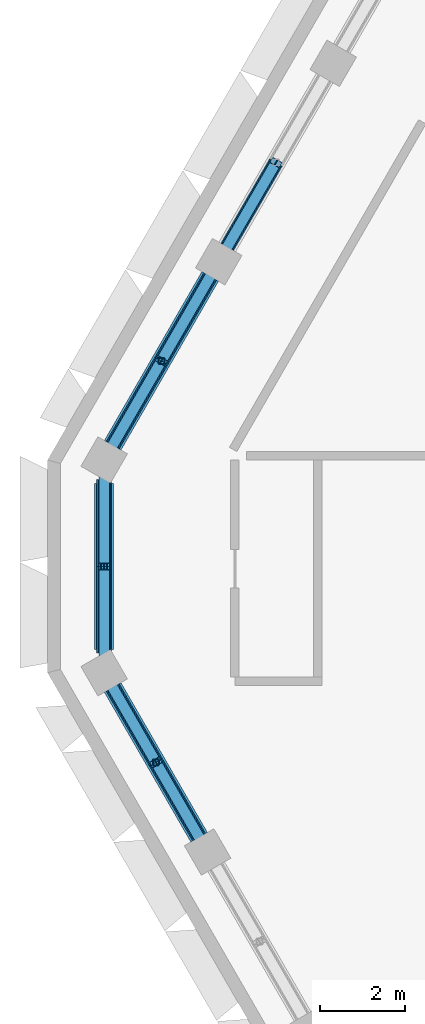
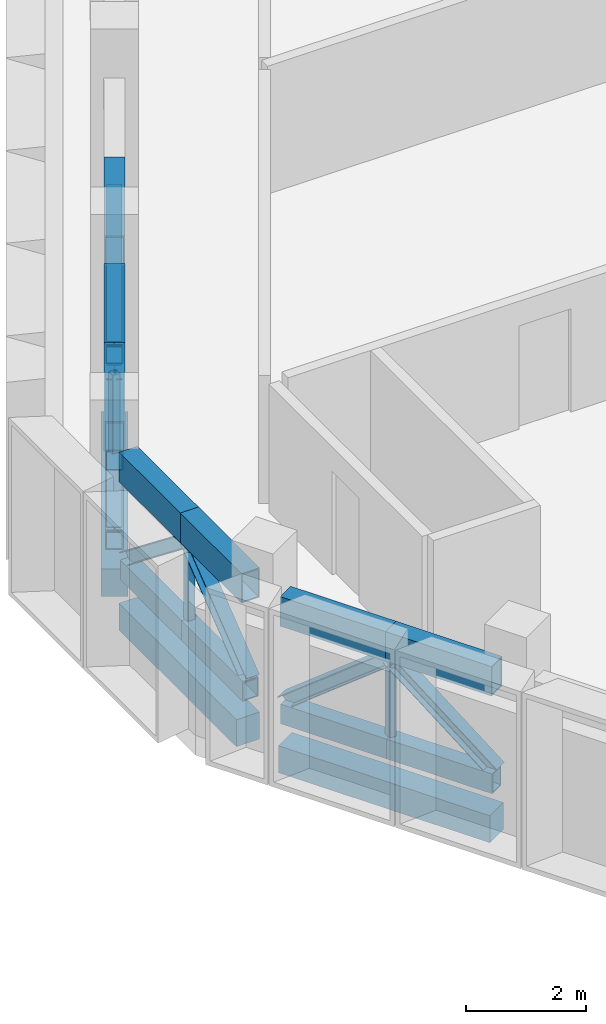
# One storey, part 4 of 24: 24 members, 3 beams.
"""IFC4 building model written with IfcOpenShell, lengths in metres."""

import ifcopenshell
import ifcopenshell.guid

model = None  # the IFC model being written
_history = None  # IfcOwnerHistory: only IFC2X3 demands one
_inside = {}  # id of a spatial element -> (the spatial element, [elements in it])
_under = {}  # id of a project, library or spatial element -> (it, [spatial elements below it])
_declared = {}  # id of a project -> (the project, [libraries it declares])
_typed = {}  # id of a type object -> (the type object, [elements of that type])
_made_of = {}  # id of a material, layer set ... -> (it, [elements and type objects made of it])


def new_model(schema):
    """Start an empty IFC model of exactly this schema.

    Asked for "IFC4X3", IfcOpenShell would pick the latest addendum, in which some entities
    have other attributes; the version numbers below select the first issue.
    IFC2X3 requires an IfcOwnerHistory on every rooted entity: one is made here for all.
    """
    global model, _history
    if schema == "IFC4X3":
        model = ifcopenshell.file(schema_version=(4, 3, 0, 0))
    else:
        model = ifcopenshell.file(schema=schema)
    _inside.clear()
    _under.clear()
    _declared.clear()
    _typed.clear()
    _made_of.clear()
    _history = None
    if model.schema == "IFC2X3":
        org = make("IfcOrganization", Name="unknown")
        user = make(
            "IfcPersonAndOrganization",
            ThePerson=make("IfcPerson", FamilyName="unknown"),
            TheOrganization=org,
        )
        app = make(
            "IfcApplication",
            ApplicationDeveloper=org,
            Version="unknown",
            ApplicationFullName="unknown",
            ApplicationIdentifier="unknown",
        )
        _history = make(
            "IfcOwnerHistory",
            OwningUser=user,
            OwningApplication=app,
            ChangeAction="ADDED",
            CreationDate=0,
        )
    return model


def make(cls, **values):
    """One entity of the class cls with the attributes given. An attribute that is None is left unset."""
    return model.create_entity(
        cls, **{name: value for name, value in values.items() if value is not None}
    )


def rooted(cls, **values):
    """An entity with a GlobalId (a new one), such as an element, a storey or a relation."""
    return make(cls, GlobalId=ifcopenshell.guid.new(), OwnerHistory=_history, **values)


def si_unit(unit_type, name, prefix=None):
    """IfcSIUnit, for example si_unit("LENGTHUNIT", "METRE", prefix="MILLI")."""
    return make("IfcSIUnit", UnitType=unit_type, Prefix=prefix, Name=name)


def assignment(units):
    """IfcUnitAssignment: the units of a project."""
    return None if units is None else make("IfcUnitAssignment", Units=units)


def point(xyz):
    """IfcCartesianPoint."""
    return None if xyz is None else make("IfcCartesianPoint", Coordinates=xyz)


def direction(xyz):
    """IfcDirection."""
    return None if xyz is None else make("IfcDirection", DirectionRatios=xyz)


def frame(location, z_axis=None, x_axis=None):
    """IfcAxis2Placement3D, a coordinate frame: its origin and axes. An axis left out is left unset."""
    return make(
        "IfcAxis2Placement3D",
        Location=point(location),
        Axis=direction(z_axis),
        RefDirection=direction(x_axis),
    )


def frame_2d(location, x_axis=None):
    """IfcAxis2Placement2D, a coordinate frame in the plane: its origin and x axis."""
    return make(
        "IfcAxis2Placement2D", Location=point(location), RefDirection=direction(x_axis)
    )


def origin():
    """The frame at (0, 0, 0) with its axes left unset."""
    return frame((0.0, 0.0, 0.0))


def origin_2d():
    """The frame at (0, 0) in the plane with its x axis left unset."""
    return frame_2d((0.0, 0.0))


def place(relative_to, where):
    """IfcLocalPlacement: puts the frame where relative to a parent placement (None: the world)."""
    return make(
        "IfcLocalPlacement", PlacementRelTo=relative_to, RelativePlacement=where
    )


def context(
    kind, dimensions, precision=None, world=None, true_north=None, identifier=None
):
    """IfcGeometricRepresentationContext, for example the 3D "Model" context."""
    return make(
        "IfcGeometricRepresentationContext",
        ContextIdentifier=identifier,
        ContextType=kind,
        CoordinateSpaceDimension=dimensions,
        Precision=precision,
        WorldCoordinateSystem=world,
        TrueNorth=true_north,
    )


def subcontext(parent, identifier, kind, view, scale=None):
    """IfcGeometricRepresentationSubContext, for example "Body" below "Model"."""
    return make(
        "IfcGeometricRepresentationSubContext",
        ContextIdentifier=identifier,
        ContextType=kind,
        ParentContext=parent,
        TargetScale=scale,
        TargetView=view,
    )


def project(units=None, contexts=None):
    """IfcProject with its units and contexts."""
    return rooted(
        "IfcProject",
        Name="project",
        RepresentationContexts=contexts,
        UnitsInContext=assignment(units),
    )


def spatial(cls, under=None, at=None, **own):
    """A site, building, storey or space (cls), placed at a placement, below another one or the project."""
    s = rooted(cls, ObjectPlacement=at, **own)
    if under is not None:
        _under.setdefault(under.id(), (under, []))[1].append(s)
    return s


def profile(cls, at=None, kind="AREA", **sizes):
    """A parametric profile (cls). Its sizes go by their IFC names, for example OverallWidth=200.0."""
    return make(cls, ProfileType=kind, Position=at, **sizes)


def rectangle(**sizes):
    """IfcRectangleProfileDef."""
    return profile("IfcRectangleProfileDef", **sizes)


def hollow_rectangle(**sizes):
    """IfcRectangleHollowProfileDef."""
    return profile("IfcRectangleHollowProfileDef", **sizes)


def i_section(**sizes):
    """IfcIShapeProfileDef."""
    return profile("IfcIShapeProfileDef", **sizes)


def extrude(swept, where, along, depth):
    """IfcExtrudedAreaSolid: the profile swept, set in the frame where, extruded along a direction by depth."""
    return make(
        "IfcExtrudedAreaSolid",
        SweptArea=swept,
        Position=where,
        ExtrudedDirection=direction(along),
        Depth=depth,
    )


def shape(context_of_items, identifier, shape_type, items):
    """IfcShapeRepresentation: the items that make up one representation, for example the "Body"."""
    return make(
        "IfcShapeRepresentation",
        ContextOfItems=context_of_items,
        RepresentationIdentifier=identifier,
        RepresentationType=shape_type,
        Items=items,
    )


def material(Name=None, Category=None):
    """IfcMaterial."""
    return make("IfcMaterial", Name=Name, Category=Category)


def material_profile(
    of_material, cross_section, Name=None, Category=None, Priority=None
):
    """IfcMaterialProfile: a cross section and its material."""
    return make(
        "IfcMaterialProfile",
        Name=Name,
        Material=of_material,
        Profile=cross_section,
        Priority=Priority,
        Category=Category,
    )


def profile_set(profiles, Name=None, composite=None):
    """IfcMaterialProfileSet."""
    return make(
        "IfcMaterialProfileSet",
        Name=Name,
        MaterialProfiles=profiles,
        CompositeProfile=composite,
    )


def made_of(thing, what):
    """Note that an element or type object is made of a material, layer set ...; save() writes the relation."""
    if what is not None:
        _made_of.setdefault(what.id(), (what, []))[1].append(thing)
    return thing


def type_object(cls, material=None, **own):
    """A type object (cls), such as IfcWallType, which elements share."""
    return made_of(rooted(cls, **own), material)


def element(
    cls,
    number,
    at=None,
    inside=None,
    cuts=None,
    type_object=None,
    material=None,
    context=None,
    identifier="Body",
    shape_type=None,
    held_by="IfcProductDefinitionShape",
    body=None,
    shapes=None,
    **own,
):
    """One element of the class cls, such as IfcWall. Its Tag is "e" and its number.

    at: its placement. inside: the storey or other place that contains it. cuts: it is an
    opening in that element (IfcRelVoidsElement). A single representation is given by context,
    identifier, shape_type and body (its items); several are given by shapes. held_by: the class
    of the entity that holds the representations. save() writes the other relations.
    """
    e = rooted(cls, Tag="e%d" % number, ObjectPlacement=at, **own)
    if body is not None:
        shapes = [shape(context, identifier, shape_type, body)]
    if shapes is not None:
        e.Representation = make(held_by, Representations=shapes)
    if inside is not None:
        _inside.setdefault(inside.id(), (inside, []))[1].append(e)
    if cuts is not None:
        rooted(
            "IfcRelVoidsElement", RelatingBuildingElement=cuts, RelatedOpeningElement=e
        )
    if type_object is not None:
        _typed.setdefault(type_object.id(), (type_object, []))[1].append(e)
    return made_of(e, material)


def aggregate(whole, parts):
    """IfcRelAggregates: a whole, such as a stair, and the parts it consists of."""
    return rooted("IfcRelAggregates", RelatingObject=whole, RelatedObjects=parts)


def save(model, path):
    """Write the relations noted so far, then the file.

    IfcRelAggregates (storeys below a building ...), IfcRelContainedInSpatialStructure (elements
    in a storey), IfcRelDefinesByType, IfcRelAssociatesMaterial and IfcRelDeclares: one each for
    every whole, place, type object, material and project.
    """
    for whole, parts in _under.values():
        aggregate(whole, parts)
    for where, things in _inside.values():
        rooted(
            "IfcRelContainedInSpatialStructure",
            RelatedElements=things,
            RelatingStructure=where,
        )
    for kind, things in _typed.values():
        rooted("IfcRelDefinesByType", RelatedObjects=things, RelatingType=kind)
    for what, things in _made_of.values():
        rooted("IfcRelAssociatesMaterial", RelatedObjects=things, RelatingMaterial=what)
    for by, libraries in _declared.values():
        rooted("IfcRelDeclares", RelatingContext=by, RelatedDefinitions=libraries)
    model.write(path)


model = new_model("IFC4")

# Units and contexts
model_context = context("Model", 3, precision=1e-05, world=origin(), true_north=direction((0.0, 1.0)))
body_context = subcontext(model_context, "Body", "Model", "MODEL_VIEW")
ifc_project = project(units=[si_unit("LENGTHUNIT", "METRE"), si_unit("AREAUNIT", "SQUARE_METRE"), si_unit("VOLUMEUNIT", "CUBIC_METRE"), si_unit("PLANEANGLEUNIT", "RADIAN"), si_unit("MASSUNIT", "GRAM", prefix="KILO")], contexts=[model_context])

# Site, building, storey
site_placement = place(None, origin())
site = spatial("IfcSite", under=ifc_project, at=site_placement, CompositionType="ELEMENT")
building_placement = place(site_placement, origin())
building = spatial("IfcBuilding", under=site, at=building_placement, Name="Beryl Residences", CompositionType="ELEMENT")
storey_placement = place(building_placement, frame((0.0, 0.0, 199.199951171875)))
storey = spatial("IfcBuildingStorey", under=building, at=storey_placement, Name="L61", CompositionType="ELEMENT", Elevation=199.199951171875)

# Members
ifc_material_1 = material(Name="Steel S355", Category="steel")
ifc_material_profile_1 = material_profile(ifc_material_1, hollow_rectangle(XDim=0.300048828125, YDim=0.39990234375, WallThickness=0.02001953125, at=origin_2d()))
ifc_profile_set_1 = profile_set([ifc_material_profile_1], Name="Steel S355")
member_type_1 = type_object("IfcMemberType", Name="BB4 belt truss bottom chord WB 400x300x20", PredefinedType="CHORD", material=ifc_profile_set_1)
for number, where, z_axis, x_axis, name in (
    (1, (-20.7880859375, 8.89306640625, 0.199951171875), (-0.499965247104, -0.866045467449, 0.0), (0.866045467449, -0.499965247104, 0.0), "Belt truss BB4-NW-2b L61"),
    (2, (-22.333984375, 6.216064453125, 0.199951171875), (-0.499965247104, -0.866045467449, 0.0), (0.866045467449, -0.499965247104, 0.0), "Belt truss BB4-NW-3a L61"),
):
    element("IfcMember", number, at=place(storey_placement, frame(where, z_axis=z_axis, x_axis=x_axis)), inside=storey, type_object=member_type_1, Name=name, PredefinedType="CHORD", context=body_context, shape_type="SweptSolid", body=[
        extrude(hollow_rectangle(XDim=0.300048828125, YDim=0.39990234375, WallThickness=0.02001953125, at=origin_2d()), origin(), (0.0, 0.0, 1.0), 2.292236328125),
    ])
member_1_placement = place(storey_placement, frame((-23.47998046875, 4.23095703125, 0.199951171875), z_axis=(-0.500011369369, -0.866018839577, 0.0), x_axis=(0.866018839577, -0.500011369369, 0.0)))
element("IfcMember", 3, at=member_1_placement, inside=storey, type_object=member_type_1, Name="Belt truss BB4-NW-3b L61", PredefinedType="CHORD", context=body_context, shape_type="SweptSolid", body=[
    extrude(hollow_rectangle(XDim=0.300048828125, YDim=0.39990234375, WallThickness=0.02001953125, at=origin_2d()), origin(), (0.0, 0.0, 1.0), 2.2919921875),
])
member_2_placement = place(storey_placement, frame((-24.825927734375, 1.43798828125, 0.199951171875), z_axis=(0.0, -1.0, 0.0), x_axis=(1.0, 0.0, 0.0)))
element("IfcMember", 4, at=member_2_placement, inside=storey, type_object=member_type_1, Name="Belt truss BB4-NW-4a L61", PredefinedType="CHORD", context=body_context, shape_type="SweptSolid", body=[
    extrude(hollow_rectangle(XDim=0.300048828125, YDim=0.39990234375, WallThickness=0.02001953125, at=origin_2d()), origin(), (0.0, 0.0, 1.0), 2.0380859375),
])
member_3_placement = place(storey_placement, frame((-24.825927734375, -0.60009765625, 0.199951171875), z_axis=(0.0, -1.0, 0.0), x_axis=(1.0, 0.0, 0.0)))
element("IfcMember", 5, at=member_3_placement, inside=storey, type_object=member_type_1, Name="Belt truss BB4-NW-4b L61", PredefinedType="CHORD", context=body_context, shape_type="SweptSolid", body=[
    extrude(hollow_rectangle(XDim=0.300048828125, YDim=0.39990234375, WallThickness=0.02001953125, at=origin_2d()), origin(), (0.0, 0.0, 1.0), 2.036865234375),
])
member_4_placement = place(storey_placement, frame((-24.6259765625, -3.445068359375, 0.199951171875), z_axis=(0.499691264621, -0.866203578878, 0.0), x_axis=(0.866203578878, 0.499691264621, 0.0)))
element("IfcMember", 6, at=member_4_placement, inside=storey, type_object=member_type_1, Name="Belt truss BB4-SW-0a L61", PredefinedType="CHORD", context=body_context, shape_type="SweptSolid", body=[
    extrude(hollow_rectangle(XDim=0.300048828125, YDim=0.39990234375, WallThickness=0.02001953125, at=origin_2d()), origin(), (0.0, 0.0, 1.0), 2.032958984375),
])
member_5_placement = place(storey_placement, frame((-23.610107421875, -5.2060546875, 0.199951171875), z_axis=(0.499989360119, -0.866031546636, 0.0), x_axis=(0.866031546636, 0.499989360119, 0.0)))
element("IfcMember", 7, at=member_5_placement, inside=storey, type_object=member_type_1, Name="Belt truss BB4-SW-0b L61", PredefinedType="CHORD", context=body_context, shape_type="SweptSolid", body=[
    extrude(hollow_rectangle(XDim=0.300048828125, YDim=0.39990234375, WallThickness=0.02001953125, at=origin_2d()), origin(), (0.0, 0.0, 1.0), 2.0322265625),
])
ifc_material_2 = material(Name="Steel S355", Category="steel")
ifc_material_profile_2 = material_profile(ifc_material_2, i_section(OverallWidth=0.25390625, OverallDepth=0.25390625, WebThickness=0.008544921875, FlangeThickness=0.01416015625, FilletRadius=0.013916015625, at=origin_2d()))
ifc_profile_set_2 = profile_set([ifc_material_profile_2], Name="Steel S355")
member_type_2 = type_object("IfcMemberType", Name="BD4 belt truss diagonal 250UC73", PredefinedType="BRACE", material=ifc_profile_set_2)
for number, where, z_axis, x_axis, name in (
    (8, (-21.93408203125, 6.907958984375, 0.400146484375), (0.409978056811, 0.710168636542, 0.572344739301), (-0.866045467449, 0.499965247104, 0.0), "Belt truss BD4-NW-2b L61"),
    (9, (-22.333984375, 6.216064453125, 0.400146484375), (-0.409978056811, -0.710168636542, 0.572344739301), (0.866045467449, -0.499965247104, 0.0), "Belt truss BD4-NW-3a L61"),
    (10, (-24.6259765625, 2.24609375, 0.400146484375), (0.410003487219, 0.710125341092, 0.572380241104), (-0.866018839577, 0.500011369369, 0.0), "Belt truss BD4-NW-3b L61"),
):
    element("IfcMember", number, at=place(storey_placement, frame(where, z_axis=z_axis, x_axis=x_axis)), inside=storey, type_object=member_type_2, Name=name, PredefinedType="BRACE", context=body_context, shape_type="SweptSolid", body=[
        extrude(i_section(OverallWidth=0.25390625, OverallDepth=0.25390625, WebThickness=0.008544921875, FlangeThickness=0.01416015625, FilletRadius=0.013916015625, at=origin_2d()), origin(), (0.0, 0.0, 1.0), 2.795166015625),
    ])
member_6_placement = place(storey_placement, frame((-24.825927734375, 1.43798828125, 0.400146484375), z_axis=(0.0, -0.786599449452, 0.617463607123), x_axis=(1.0, 0.0, 0.0)))
element("IfcMember", 11, at=member_6_placement, inside=storey, type_object=member_type_2, Name="Belt truss BD4-NW-4a L61", PredefinedType="BRACE", context=body_context, shape_type="SweptSolid", body=[
    extrude(i_section(OverallWidth=0.25390625, OverallDepth=0.25390625, WebThickness=0.008544921875, FlangeThickness=0.01416015625, FilletRadius=0.013916015625, at=origin_2d()), origin(), (0.0, 0.0, 1.0), 2.591064453125),
])
member_7_placement = place(storey_placement, frame((-24.825927734375, -2.636962890625, 0.400146484375), z_axis=(0.0, 0.786419725738, 0.61769249224), x_axis=(-1.0, 0.0, 0.0)))
element("IfcMember", 12, at=member_7_placement, inside=storey, type_object=member_type_2, Name="Belt truss BD4-NW-4b L61", PredefinedType="BRACE", context=body_context, shape_type="SweptSolid", body=[
    extrude(i_section(OverallWidth=0.25390625, OverallDepth=0.25390625, WebThickness=0.008544921875, FlangeThickness=0.01416015625, FilletRadius=0.013916015625, at=origin_2d()), origin(), (0.0, 0.0, 1.0), 2.590087890625),
])
member_8_placement = place(storey_placement, frame((-24.6259765625, -3.445068359375, 0.400146484375), z_axis=(0.392681571619, -0.680704680627, 0.618419211444), x_axis=(0.866203578878, 0.499691264621, 0.0)))
element("IfcMember", 13, at=member_8_placement, inside=storey, type_object=member_type_2, Name="Belt truss BD4-SW-0a L61", PredefinedType="BRACE", context=body_context, shape_type="SweptSolid", body=[
    extrude(i_section(OverallWidth=0.25390625, OverallDepth=0.25390625, WebThickness=0.008544921875, FlangeThickness=0.01416015625, FilletRadius=0.013916015625, at=origin_2d()), origin(), (0.0, 0.0, 1.0), 2.5869140625),
])
member_9_placement = place(storey_placement, frame((-22.593994140625, -6.966064453125, 0.400146484375), z_axis=(-0.392862313532, 0.68047679439, 0.618555199561), x_axis=(-0.866031546636, -0.499989360119, 0.0)))
element("IfcMember", 14, at=member_9_placement, inside=storey, type_object=member_type_2, Name="Belt truss BD4-SW-0b L61", PredefinedType="BRACE", context=body_context, shape_type="SweptSolid", body=[
    extrude(i_section(OverallWidth=0.25390625, OverallDepth=0.25390625, WebThickness=0.008544921875, FlangeThickness=0.01416015625, FilletRadius=0.013916015625, at=origin_2d()), origin(), (0.0, 0.0, 1.0), 2.58642578125),
])
ifc_material_3 = material(Name="Steel S355", Category="steel")
ifc_material_profile_3 = material_profile(ifc_material_3, hollow_rectangle(XDim=0.14990234375, YDim=0.14990234375, WallThickness=0.009033203125, InnerFilletRadius=0.009033203125, OuterFilletRadius=0.01806640625, at=origin_2d()))
ifc_profile_set_3 = profile_set([ifc_material_profile_3], Name="Steel S355")
member_type_3 = type_object("IfcMemberType", Name="BQ4 belt truss post SHS 150x150x9", PredefinedType="POST", material=ifc_profile_set_3)
for number, where, z_axis, x_axis, name in (
    (15, (-23.47998046875, 4.23095703125, 0.400146484375), (0.0, 0.0, 1.0), (1.0, 0.0, 0.0), "Belt truss BQ4-NW-3 L61"),
    (16, (-24.825927734375, -0.60009765625, 0.400146484375), (0.0, 0.0, 1.0), (1.0, 0.0, 0.0), "Belt truss BQ4-NW-4 L61"),
    (17, (-23.610107421875, -5.2060546875, 0.400146484375), (0.0, 0.0, 1.0), (1.0, 0.0, 0.0), "Belt truss BQ4-SW-0 L61"),
):
    element("IfcMember", number, at=place(storey_placement, frame(where, z_axis=z_axis, x_axis=x_axis)), inside=storey, type_object=member_type_3, Name=name, PredefinedType="POST", context=body_context, shape_type="SweptSolid", body=[
        extrude(hollow_rectangle(XDim=0.14990234375, YDim=0.14990234375, WallThickness=0.009033203125, InnerFilletRadius=0.009033203125, OuterFilletRadius=0.01806640625, at=origin_2d()), origin(), (0.0, 0.0, 1.0), 1.599853515625),
    ])
ifc_material_4 = material(Name="Steel S355", Category="steel")
ifc_material_profile_4 = material_profile(ifc_material_4, hollow_rectangle(XDim=0.35009765625, YDim=0.60009765625, WallThickness=0.02490234375, at=origin_2d()))
ifc_profile_set_4 = profile_set([ifc_material_profile_4], Name="Steel S355")
member_type_4 = type_object("IfcMemberType", Name="BT4 belt truss top chord WB 600x350x25", PredefinedType="CHORD", material=ifc_profile_set_4)
for number, where, z_axis, x_axis, name in (
    (18, (-20.7880859375, 8.89306640625, 2.300048828125), (-0.499965247104, -0.866045467449, 0.0), (0.866045467449, -0.499965247104, 0.0), "Belt truss BT4-NW-2b L61"),
    (19, (-22.333984375, 6.216064453125, 2.300048828125), (-0.499965247104, -0.866045467449, 0.0), (0.866045467449, -0.499965247104, 0.0), "Belt truss BT4-NW-3a L61"),
):
    element("IfcMember", number, at=place(storey_placement, frame(where, z_axis=z_axis, x_axis=x_axis)), inside=storey, type_object=member_type_4, Name=name, PredefinedType="CHORD", context=body_context, shape_type="SweptSolid", body=[
        extrude(hollow_rectangle(XDim=0.35009765625, YDim=0.60009765625, WallThickness=0.02490234375, at=origin_2d()), origin(), (0.0, 0.0, 1.0), 2.292236328125),
    ])
member_10_placement = place(storey_placement, frame((-23.47998046875, 4.23095703125, 2.300048828125), z_axis=(-0.500011369369, -0.866018839577, 0.0), x_axis=(0.866018839577, -0.500011369369, 0.0)))
element("IfcMember", 20, at=member_10_placement, inside=storey, type_object=member_type_4, Name="Belt truss BT4-NW-3b L61", PredefinedType="CHORD", context=body_context, shape_type="SweptSolid", body=[
    extrude(hollow_rectangle(XDim=0.35009765625, YDim=0.60009765625, WallThickness=0.02490234375, at=origin_2d()), origin(), (0.0, 0.0, 1.0), 2.2919921875),
])
member_11_placement = place(storey_placement, frame((-24.825927734375, 1.43798828125, 2.300048828125), z_axis=(0.0, -1.0, 0.0), x_axis=(1.0, 0.0, 0.0)))
element("IfcMember", 21, at=member_11_placement, inside=storey, type_object=member_type_4, Name="Belt truss BT4-NW-4a L61", PredefinedType="CHORD", context=body_context, shape_type="SweptSolid", body=[
    extrude(hollow_rectangle(XDim=0.35009765625, YDim=0.60009765625, WallThickness=0.02490234375, at=origin_2d()), origin(), (0.0, 0.0, 1.0), 2.0380859375),
])
member_12_placement = place(storey_placement, frame((-24.825927734375, -0.60009765625, 2.300048828125), z_axis=(0.0, -1.0, 0.0), x_axis=(1.0, 0.0, 0.0)))
element("IfcMember", 22, at=member_12_placement, inside=storey, type_object=member_type_4, Name="Belt truss BT4-NW-4b L61", PredefinedType="CHORD", context=body_context, shape_type="SweptSolid", body=[
    extrude(hollow_rectangle(XDim=0.35009765625, YDim=0.60009765625, WallThickness=0.02490234375, at=origin_2d()), origin(), (0.0, 0.0, 1.0), 2.036865234375),
])
member_13_placement = place(storey_placement, frame((-24.6259765625, -3.445068359375, 2.300048828125), z_axis=(0.499691264621, -0.866203578878, 0.0), x_axis=(0.866203578878, 0.499691264621, 0.0)))
element("IfcMember", 23, at=member_13_placement, inside=storey, type_object=member_type_4, Name="Belt truss BT4-SW-0a L61", PredefinedType="CHORD", context=body_context, shape_type="SweptSolid", body=[
    extrude(hollow_rectangle(XDim=0.35009765625, YDim=0.60009765625, WallThickness=0.02490234375, at=origin_2d()), origin(), (0.0, 0.0, 1.0), 2.032958984375),
])
member_14_placement = place(storey_placement, frame((-23.610107421875, -5.2060546875, 2.300048828125), z_axis=(0.499989360119, -0.866031546636, 0.0), x_axis=(0.866031546636, 0.499989360119, 0.0)))
element("IfcMember", 24, at=member_14_placement, inside=storey, type_object=member_type_4, Name="Belt truss BT4-SW-0b L61", PredefinedType="CHORD", context=body_context, shape_type="SweptSolid", body=[
    extrude(hollow_rectangle(XDim=0.35009765625, YDim=0.60009765625, WallThickness=0.02490234375, at=origin_2d()), origin(), (0.0, 0.0, 1.0), 2.0322265625),
])

# Beams
ifc_material_5 = material(Name="Concrete C50/60", Category="concrete")
ifc_material_profile_5 = material_profile(ifc_material_5, rectangle(XDim=0.449951171875, YDim=0.550048828125, at=origin_2d()))
ifc_profile_set_5 = profile_set([ifc_material_profile_5], Name="Concrete C50/60")
beam_type = type_object("IfcBeamType", Name="SB4 spandrel beam 450 x 550 C50/60", PredefinedType="SPANDREL", material=ifc_profile_set_5)
beam_1_placement = place(storey_placement, frame((-22.333984375, 6.216064453125, -0.675048828125), z_axis=(-0.49998830735, -0.866032154434, 0.0), x_axis=(0.866032154434, -0.49998830735, 0.0)))
element("IfcBeam", 25, at=beam_1_placement, inside=storey, type_object=beam_type, Name="SB4 L61 NW-3", PredefinedType="SPANDREL", context=body_context, shape_type="SweptSolid", body=[
    extrude(rectangle(XDim=0.449951171875, YDim=0.550048828125, at=origin_2d()), origin(), (0.0, 0.0, 1.0), 4.583984375),
])
beam_2_placement = place(storey_placement, frame((-24.825927734375, 1.35400390625, -0.675048828125), z_axis=(0.0, -1.0, 0.0), x_axis=(1.0, 0.0, 0.0)))
element("IfcBeam", 26, at=beam_2_placement, inside=storey, type_object=beam_type, Name="SB4 L61 NW-4", PredefinedType="SPANDREL", context=body_context, shape_type="SweptSolid", body=[
    extrude(rectangle(XDim=0.449951171875, YDim=0.550048828125, at=origin_2d()), origin(), (0.0, 0.0, 1.0), 3.906982421875),
])
beam_3_placement = place(storey_placement, frame((-24.6259765625, -3.445068359375, -0.675048828125), z_axis=(0.499840293234, -0.866117590896, 0.0), x_axis=(0.866117590896, 0.499840293234, 0.0)))
element("IfcBeam", 27, at=beam_3_placement, inside=storey, type_object=beam_type, Name="SB4 L61 SW-0", PredefinedType="SPANDREL", context=body_context, shape_type="SweptSolid", body=[
    extrude(rectangle(XDim=0.449951171875, YDim=0.550048828125, at=origin_2d()), origin(), (0.0, 0.0, 1.0), 4.065185546875),
])

save(model, "model.ifc")
